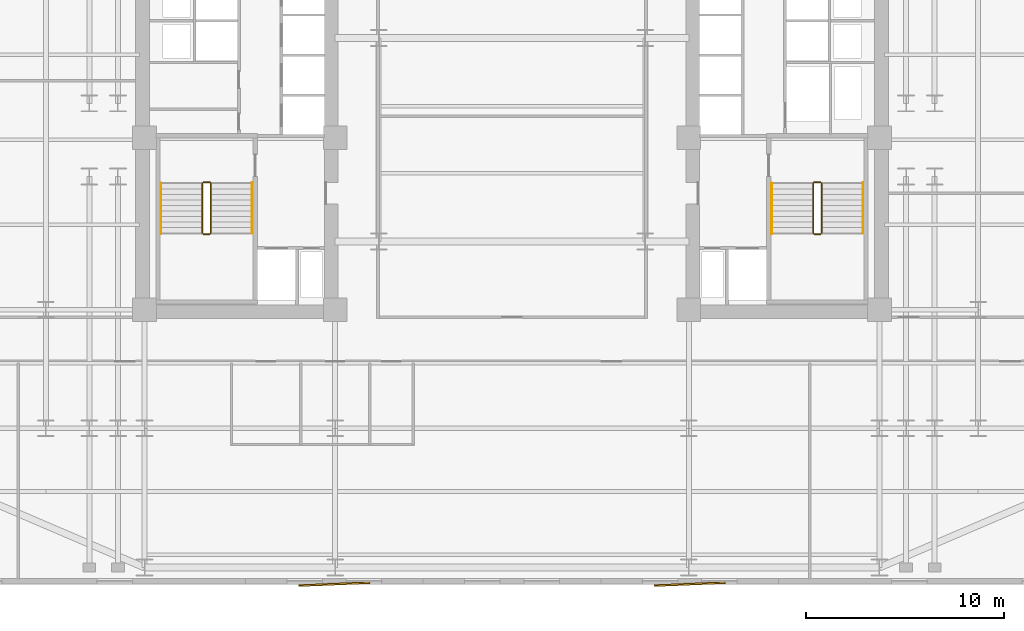
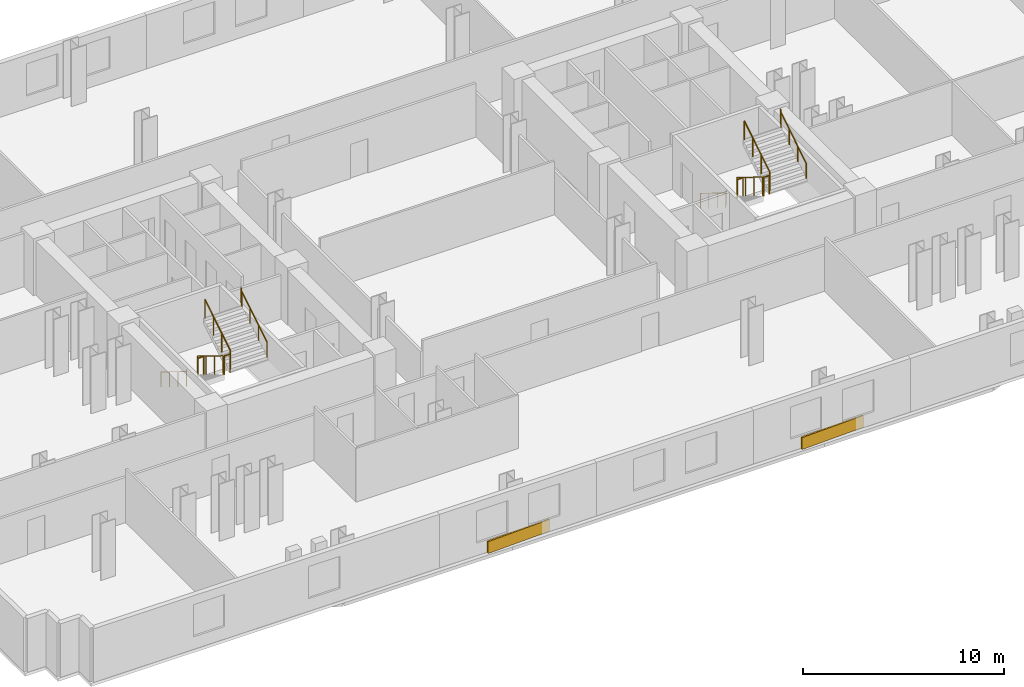
# One storey, part 9 of 10: 12 railings, 2 coverings.
"""IFC4 building model written with IfcOpenShell, lengths in metres."""

from ifc_helpers import new_model, si_unit, direction, frame, origin, origin_2d, place, context, subcontext, project, spatial, rectangle, circle, extrude, material, layer, layer_set, type_object, element, save


model = new_model("IFC4")

# Units and contexts
model_context = context("Model", 3, precision=1e-05, world=origin(), true_north=direction((0.0, 1.0)))
body_context = subcontext(model_context, "Body", "Model", "MODEL_VIEW")
ifc_project = project(units=[si_unit("LENGTHUNIT", "METRE"), si_unit("AREAUNIT", "SQUARE_METRE"), si_unit("VOLUMEUNIT", "CUBIC_METRE"), si_unit("PLANEANGLEUNIT", "RADIAN"), si_unit("MASSUNIT", "GRAM", prefix="KILO")], contexts=[model_context])

# Site, building, storey
site_placement = place(None, origin())
site = spatial("IfcSite", under=ifc_project, at=site_placement, CompositionType="ELEMENT")
building_placement = place(site_placement, origin())
building = spatial("IfcBuilding", under=site, at=building_placement, Name="Velakula Bourse", CompositionType="ELEMENT")
storey_placement = place(building_placement, frame((0.0, 0.0, 34.64990234375)))
storey = spatial("IfcBuildingStorey", under=building, at=storey_placement, Name="L08", CompositionType="ELEMENT", Elevation=34.64990234375)

# Coverings
ifc_material_1 = material(Name="Red kilned clay facing brick masonry", Category="masonry")
ifc_layer = layer(ifc_material_1, 0.090087890625, Name="Red kilned clay facing brick masonry", Category="masonry")
ifc_layer_set = layer_set([ifc_layer], Name="Red kilned clay facing brick masonry")
covering_type = type_object("IfcCoveringType", Name="COV-BRK-FOLD-90", PredefinedType="CLADDING", material=ifc_layer_set)
for number, where, z_axis, x_axis, name in (
    (1, (-9.0, -22.489990234375, 0.0), (0.0, 0.0, 1.0), (0.999158993058, 0.041003738744, 0.0), "L08 Folded Brick Facade Cladding Panel S-B2"),
    (2, (9.0, -22.489990234375, 0.0), (0.0, 0.0, 1.0), (0.999158993058, 0.041003738744, 0.0), "L08 Folded Brick Facade Cladding Panel S-B4"),
):
    element("IfcCovering", number, at=place(storey_placement, frame(where, z_axis=z_axis, x_axis=x_axis)), inside=storey, type_object=covering_type, Name=name, PredefinedType="CLADDING", context=body_context, shape_type="SweptSolid", body=[
        extrude(rectangle(XDim=3.60009765625, YDim=0.090087890625, at=origin_2d()), origin(), (0.0, 0.0, 1.0), 0.719970703125),
    ])

# Railings
ifc_material_2 = material(Name="Brushed grade 316 stainless steel", Category="steel")
railing_type_1 = type_object("IfcRailingType", Name="RLG-STAIR-GUARD-1150", PredefinedType="BALUSTRADE", material=ifc_material_2)
railing_1_placement = place(storey_placement, frame((-15.672119140625, -2.199951171875, 0.172607421875)))
element("IfcRailing", 3, at=railing_1_placement, inside=storey, type_object=railing_type_1, Name="L08 ST-W1 stair guard 1", PredefinedType="BALUSTRADE", context=body_context, shape_type="SweptSolid", body=[
    extrude(circle(Radius=0.02490234375, at=origin_2d()), frame((0.0, 0.0, 1.125), z_axis=(0.0, -0.851400495292, 0.524516154772), x_axis=(1.0, 0.0, 0.0)), (0.0, 0.0, 1.0), 2.9599609375),
    extrude(circle(Radius=0.02099609375, at=origin_2d()), origin(), (0.0, 0.0, 1.0), 1.099853515625),
    extrude(circle(Radius=0.02099609375, at=origin_2d()), frame((0.0, -0.840087890625, 0.517578125)), (0.0, 0.0, 1.0), 1.099853515625),
    extrude(circle(Radius=0.02099609375, at=origin_2d()), frame((0.0, -1.679931640625, 1.034912109375)), (0.0, 0.0, 1.0), 1.099853515625),
    extrude(circle(Radius=0.02099609375, at=origin_2d()), frame((0.0, -2.52001953125, 1.552490234375)), (0.0, 0.0, 1.0), 1.099853515625),
])
railing_2_placement = place(storey_placement, frame((-15.6220703125, -4.77001953125, 1.72509765625)))
element("IfcRailing", 4, at=railing_2_placement, inside=storey, type_object=railing_type_1, Name="L08 ST-W1 stair guard 2", PredefinedType="BALUSTRADE", context=body_context, shape_type="SweptSolid", body=[
    extrude(circle(Radius=0.02490234375, at=origin_2d()), frame((0.0, 0.0, 1.125), z_axis=(1.0, 0.0, 0.0), x_axis=(0.0, 1.0, 0.0)), (0.0, 0.0, 1.0), 0.323974609375),
    extrude(circle(Radius=0.02099609375, at=origin_2d()), origin(), (0.0, 0.0, 1.0), 1.099853515625),
    extrude(circle(Radius=0.02099609375, at=origin_2d()), frame((0.323974609375, 0.0, 0.0)), (0.0, 0.0, 1.0), 1.099853515625),
])
railing_3_placement = place(storey_placement, frame((-15.248046875, -4.719970703125, 1.897705078125)))
element("IfcRailing", 5, at=railing_3_placement, inside=storey, type_object=railing_type_1, Name="L08 ST-W1 stair guard 3", PredefinedType="BALUSTRADE", context=body_context, shape_type="SweptSolid", body=[
    extrude(circle(Radius=0.02490234375, at=origin_2d()), frame((0.0, 0.0, 1.125), z_axis=(0.0, 0.851400495292, 0.524516154772), x_axis=(-1.0, 0.0, 0.0)), (0.0, 0.0, 1.0), 2.9599609375),
    extrude(circle(Radius=0.02099609375, at=origin_2d()), origin(), (0.0, 0.0, 1.0), 1.099853515625),
    extrude(circle(Radius=0.02099609375, at=origin_2d()), frame((0.0, 0.840087890625, 0.517578125)), (0.0, 0.0, 1.0), 1.099853515625),
    extrude(circle(Radius=0.02099609375, at=origin_2d()), frame((0.0, 1.679931640625, 1.034912109375)), (0.0, 0.0, 1.0), 1.099853515625),
    extrude(circle(Radius=0.02099609375, at=origin_2d()), frame((0.0, 2.52001953125, 1.552490234375)), (0.0, 0.0, 1.0), 1.099853515625),
])
railing_4_placement = place(storey_placement, frame((-15.6220703125, -2.14990234375, 0.0)))
element("IfcRailing", 6, at=railing_4_placement, inside=storey, type_object=railing_type_1, Name="L08 ST-W1 stair guard 4", PredefinedType="BALUSTRADE", context=body_context, shape_type="SweptSolid", body=[
    extrude(circle(Radius=0.02490234375, at=origin_2d()), frame((0.0, 0.0, 1.125), z_axis=(1.0, 0.0, 0.0), x_axis=(0.0, 1.0, 0.0)), (0.0, 0.0, 1.0), 0.323974609375),
    extrude(circle(Radius=0.02099609375, at=origin_2d()), origin(), (0.0, 0.0, 1.0), 1.099853515625),
    extrude(circle(Radius=0.02099609375, at=origin_2d()), frame((0.323974609375, 0.0, 0.0)), (0.0, 0.0, 1.0), 1.099853515625),
])
railing_5_placement = place(storey_placement, frame((15.248046875, -2.199951171875, 0.172607421875)))
element("IfcRailing", 7, at=railing_5_placement, inside=storey, type_object=railing_type_1, Name="L08 ST-E1 stair guard 1", PredefinedType="BALUSTRADE", context=body_context, shape_type="SweptSolid", body=[
    extrude(circle(Radius=0.02490234375, at=origin_2d()), frame((0.0, 0.0, 1.125), z_axis=(0.0, -0.851400495292, 0.524516154772), x_axis=(1.0, 0.0, 0.0)), (0.0, 0.0, 1.0), 2.9599609375),
    extrude(circle(Radius=0.02099609375, at=origin_2d()), origin(), (0.0, 0.0, 1.0), 1.099853515625),
    extrude(circle(Radius=0.02099609375, at=origin_2d()), frame((0.0, -0.840087890625, 0.517578125)), (0.0, 0.0, 1.0), 1.099853515625),
    extrude(circle(Radius=0.02099609375, at=origin_2d()), frame((0.0, -1.679931640625, 1.034912109375)), (0.0, 0.0, 1.0), 1.099853515625),
    extrude(circle(Radius=0.02099609375, at=origin_2d()), frame((0.0, -2.52001953125, 1.552490234375)), (0.0, 0.0, 1.0), 1.099853515625),
])
railing_6_placement = place(storey_placement, frame((15.298095703125, -4.77001953125, 1.72509765625)))
element("IfcRailing", 8, at=railing_6_placement, inside=storey, type_object=railing_type_1, Name="L08 ST-E1 stair guard 2", PredefinedType="BALUSTRADE", context=body_context, shape_type="SweptSolid", body=[
    extrude(circle(Radius=0.02490234375, at=origin_2d()), frame((0.0, 0.0, 1.125), z_axis=(1.0, 0.0, 0.0), x_axis=(0.0, 1.0, 0.0)), (0.0, 0.0, 1.0), 0.323974609375),
    extrude(circle(Radius=0.02099609375, at=origin_2d()), origin(), (0.0, 0.0, 1.0), 1.099853515625),
    extrude(circle(Radius=0.02099609375, at=origin_2d()), frame((0.323974609375, 0.0, 0.0)), (0.0, 0.0, 1.0), 1.099853515625),
])
railing_7_placement = place(storey_placement, frame((15.672119140625, -4.719970703125, 1.897705078125)))
element("IfcRailing", 9, at=railing_7_placement, inside=storey, type_object=railing_type_1, Name="L08 ST-E1 stair guard 3", PredefinedType="BALUSTRADE", context=body_context, shape_type="SweptSolid", body=[
    extrude(circle(Radius=0.02490234375, at=origin_2d()), frame((0.0, 0.0, 1.125), z_axis=(0.0, 0.851400495292, 0.524516154772), x_axis=(-1.0, 0.0, 0.0)), (0.0, 0.0, 1.0), 2.9599609375),
    extrude(circle(Radius=0.02099609375, at=origin_2d()), origin(), (0.0, 0.0, 1.0), 1.099853515625),
    extrude(circle(Radius=0.02099609375, at=origin_2d()), frame((0.0, 0.840087890625, 0.517578125)), (0.0, 0.0, 1.0), 1.099853515625),
    extrude(circle(Radius=0.02099609375, at=origin_2d()), frame((0.0, 1.679931640625, 1.034912109375)), (0.0, 0.0, 1.0), 1.099853515625),
    extrude(circle(Radius=0.02099609375, at=origin_2d()), frame((0.0, 2.52001953125, 1.552490234375)), (0.0, 0.0, 1.0), 1.099853515625),
])
railing_8_placement = place(storey_placement, frame((15.298095703125, -2.14990234375, 0.0)))
element("IfcRailing", 10, at=railing_8_placement, inside=storey, type_object=railing_type_1, Name="L08 ST-E1 stair guard 4", PredefinedType="BALUSTRADE", context=body_context, shape_type="SweptSolid", body=[
    extrude(circle(Radius=0.02490234375, at=origin_2d()), frame((0.0, 0.0, 1.125), z_axis=(1.0, 0.0, 0.0), x_axis=(0.0, 1.0, 0.0)), (0.0, 0.0, 1.0), 0.323974609375),
    extrude(circle(Radius=0.02099609375, at=origin_2d()), origin(), (0.0, 0.0, 1.0), 1.099853515625),
    extrude(circle(Radius=0.02099609375, at=origin_2d()), frame((0.323974609375, 0.0, 0.0)), (0.0, 0.0, 1.0), 1.099853515625),
])
railing_type_2 = type_object("IfcRailingType", Name="RLG-STAIR-HAND-920", PredefinedType="HANDRAIL", material=ifc_material_2)
railing_9_placement = place(storey_placement, frame((-17.77001953125, -2.199951171875, 0.172607421875)))
element("IfcRailing", 11, at=railing_9_placement, inside=storey, type_object=railing_type_2, Name="L08 ST-W1 stair handrail 1", PredefinedType="HANDRAIL", context=body_context, shape_type="SweptSolid", body=[
    extrude(circle(Radius=0.02099609375, at=origin_2d()), frame((0.0, 0.0, 0.89892578125), z_axis=(0.0, -0.851400495292, 0.524516154772), x_axis=(1.0, 0.0, 0.0)), (0.0, 0.0, 1.0), 2.9599609375),
    extrude(circle(Radius=0.02099609375, at=origin_2d()), frame((0.0, -2.52001953125, 2.451416015625), z_axis=(0.0, -0.22596628056, 0.974135124123), x_axis=(1.0, 0.0, 0.0)), (0.0, 0.0, 1.0), 0.17724609375),
    extrude(circle(Radius=0.02099609375, at=origin_2d()), frame((0.0, -2.56005859375, 2.6240234375), z_axis=(0.0, -1.0, 0.0), x_axis=(1.0, 0.0, 0.0)), (0.0, 0.0, 1.0), 0.0048828125),
    extrude(circle(Radius=0.02099609375, at=origin_2d()), origin(), (0.0, 0.0, 1.0), 0.8779296875),
    extrude(circle(Radius=0.02099609375, at=origin_2d()), frame((0.0, -0.840087890625, 0.517578125)), (0.0, 0.0, 1.0), 0.8779296875),
    extrude(circle(Radius=0.02099609375, at=origin_2d()), frame((0.0, -1.679931640625, 1.034912109375)), (0.0, 0.0, 1.0), 0.8779296875),
    extrude(circle(Radius=0.02099609375, at=origin_2d()), frame((0.0, -2.52001953125, 1.552490234375)), (0.0, 0.0, 1.0), 0.8779296875),
    extrude(circle(Radius=0.02099609375, at=origin_2d()), frame((0.0, -2.56005859375, 1.72509765625)), (0.0, 0.0, 1.0), 0.8779296875),
    extrude(circle(Radius=0.02099609375, at=origin_2d()), frame((0.0, -2.56494140625, 1.72509765625)), (0.0, 0.0, 1.0), 0.8779296875),
])
railing_10_placement = place(storey_placement, frame((-13.14990234375, -4.719970703125, 1.897705078125)))
element("IfcRailing", 12, at=railing_10_placement, inside=storey, type_object=railing_type_2, Name="L08 ST-W1 stair handrail 2", PredefinedType="HANDRAIL", context=body_context, shape_type="SweptSolid", body=[
    extrude(circle(Radius=0.02099609375, at=origin_2d()), frame((0.0, 0.0, 0.89892578125), z_axis=(0.0, 0.851400495292, 0.524516154772), x_axis=(-1.0, 0.0, 0.0)), (0.0, 0.0, 1.0), 2.9599609375),
    extrude(circle(Radius=0.02099609375, at=origin_2d()), frame((0.0, 2.52001953125, 2.451416015625), z_axis=(0.0, 0.226269970362, 0.974064628509), x_axis=(-1.0, 0.0, 0.0)), (0.0, 0.0, 1.0), 0.177001953125),
    extrude(circle(Radius=0.02099609375, at=origin_2d()), frame((0.0, 2.56005859375, 2.623779296875), z_axis=(0.0, 1.0, 0.0), x_axis=(-1.0, 0.0, 0.0)), (0.0, 0.0, 1.0), 0.0048828125),
    extrude(circle(Radius=0.02099609375, at=origin_2d()), origin(), (0.0, 0.0, 1.0), 0.8779296875),
    extrude(circle(Radius=0.02099609375, at=origin_2d()), frame((0.0, 0.840087890625, 0.517578125)), (0.0, 0.0, 1.0), 0.8779296875),
    extrude(circle(Radius=0.02099609375, at=origin_2d()), frame((0.0, 1.679931640625, 1.034912109375)), (0.0, 0.0, 1.0), 0.8779296875),
    extrude(circle(Radius=0.02099609375, at=origin_2d()), frame((0.0, 2.52001953125, 1.552490234375)), (0.0, 0.0, 1.0), 0.8779296875),
    extrude(circle(Radius=0.02099609375, at=origin_2d()), frame((0.0, 2.56005859375, 1.724853515625)), (0.0, 0.0, 1.0), 0.8779296875),
    extrude(circle(Radius=0.02099609375, at=origin_2d()), frame((0.0, 2.56494140625, 1.724853515625)), (0.0, 0.0, 1.0), 0.8779296875),
])
railing_11_placement = place(storey_placement, frame((13.14990234375, -2.199951171875, 0.172607421875)))
element("IfcRailing", 13, at=railing_11_placement, inside=storey, type_object=railing_type_2, Name="L08 ST-E1 stair handrail 1", PredefinedType="HANDRAIL", context=body_context, shape_type="SweptSolid", body=[
    extrude(circle(Radius=0.02099609375, at=origin_2d()), frame((0.0, 0.0, 0.89892578125), z_axis=(0.0, -0.851400495292, 0.524516154772), x_axis=(1.0, 0.0, 0.0)), (0.0, 0.0, 1.0), 2.9599609375),
    extrude(circle(Radius=0.02099609375, at=origin_2d()), frame((0.0, -2.52001953125, 2.451416015625), z_axis=(0.0, -0.22596628056, 0.974135124123), x_axis=(1.0, 0.0, 0.0)), (0.0, 0.0, 1.0), 0.17724609375),
    extrude(circle(Radius=0.02099609375, at=origin_2d()), frame((0.0, -2.56005859375, 2.6240234375), z_axis=(0.0, -1.0, 0.0), x_axis=(1.0, 0.0, 0.0)), (0.0, 0.0, 1.0), 0.0048828125),
    extrude(circle(Radius=0.02099609375, at=origin_2d()), origin(), (0.0, 0.0, 1.0), 0.8779296875),
    extrude(circle(Radius=0.02099609375, at=origin_2d()), frame((0.0, -0.840087890625, 0.517578125)), (0.0, 0.0, 1.0), 0.8779296875),
    extrude(circle(Radius=0.02099609375, at=origin_2d()), frame((0.0, -1.679931640625, 1.034912109375)), (0.0, 0.0, 1.0), 0.8779296875),
    extrude(circle(Radius=0.02099609375, at=origin_2d()), frame((0.0, -2.52001953125, 1.552490234375)), (0.0, 0.0, 1.0), 0.8779296875),
    extrude(circle(Radius=0.02099609375, at=origin_2d()), frame((0.0, -2.56005859375, 1.72509765625)), (0.0, 0.0, 1.0), 0.8779296875),
    extrude(circle(Radius=0.02099609375, at=origin_2d()), frame((0.0, -2.56494140625, 1.72509765625)), (0.0, 0.0, 1.0), 0.8779296875),
])
railing_12_placement = place(storey_placement, frame((17.77001953125, -4.719970703125, 1.897705078125)))
element("IfcRailing", 14, at=railing_12_placement, inside=storey, type_object=railing_type_2, Name="L08 ST-E1 stair handrail 2", PredefinedType="HANDRAIL", context=body_context, shape_type="SweptSolid", body=[
    extrude(circle(Radius=0.02099609375, at=origin_2d()), frame((0.0, 0.0, 0.89892578125), z_axis=(0.0, 0.851400495292, 0.524516154772), x_axis=(-1.0, 0.0, 0.0)), (0.0, 0.0, 1.0), 2.9599609375),
    extrude(circle(Radius=0.02099609375, at=origin_2d()), frame((0.0, 2.52001953125, 2.451416015625), z_axis=(0.0, 0.226269970362, 0.974064628509), x_axis=(-1.0, 0.0, 0.0)), (0.0, 0.0, 1.0), 0.177001953125),
    extrude(circle(Radius=0.02099609375, at=origin_2d()), frame((0.0, 2.56005859375, 2.623779296875), z_axis=(0.0, 1.0, 0.0), x_axis=(-1.0, 0.0, 0.0)), (0.0, 0.0, 1.0), 0.0048828125),
    extrude(circle(Radius=0.02099609375, at=origin_2d()), origin(), (0.0, 0.0, 1.0), 0.8779296875),
    extrude(circle(Radius=0.02099609375, at=origin_2d()), frame((0.0, 0.840087890625, 0.517578125)), (0.0, 0.0, 1.0), 0.8779296875),
    extrude(circle(Radius=0.02099609375, at=origin_2d()), frame((0.0, 1.679931640625, 1.034912109375)), (0.0, 0.0, 1.0), 0.8779296875),
    extrude(circle(Radius=0.02099609375, at=origin_2d()), frame((0.0, 2.52001953125, 1.552490234375)), (0.0, 0.0, 1.0), 0.8779296875),
    extrude(circle(Radius=0.02099609375, at=origin_2d()), frame((0.0, 2.56005859375, 1.724853515625)), (0.0, 0.0, 1.0), 0.8779296875),
    extrude(circle(Radius=0.02099609375, at=origin_2d()), frame((0.0, 2.56494140625, 1.724853515625)), (0.0, 0.0, 1.0), 0.8779296875),
])

save(model, "model.ifc")
